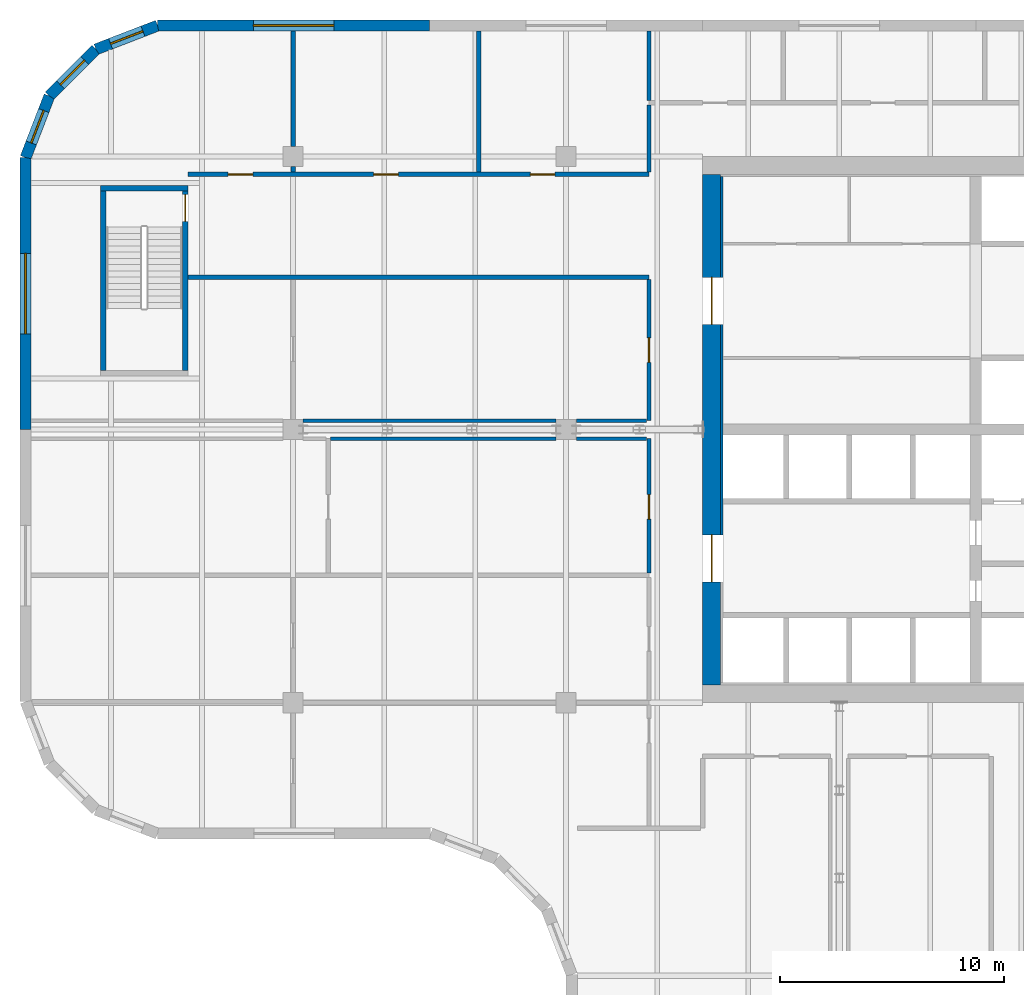
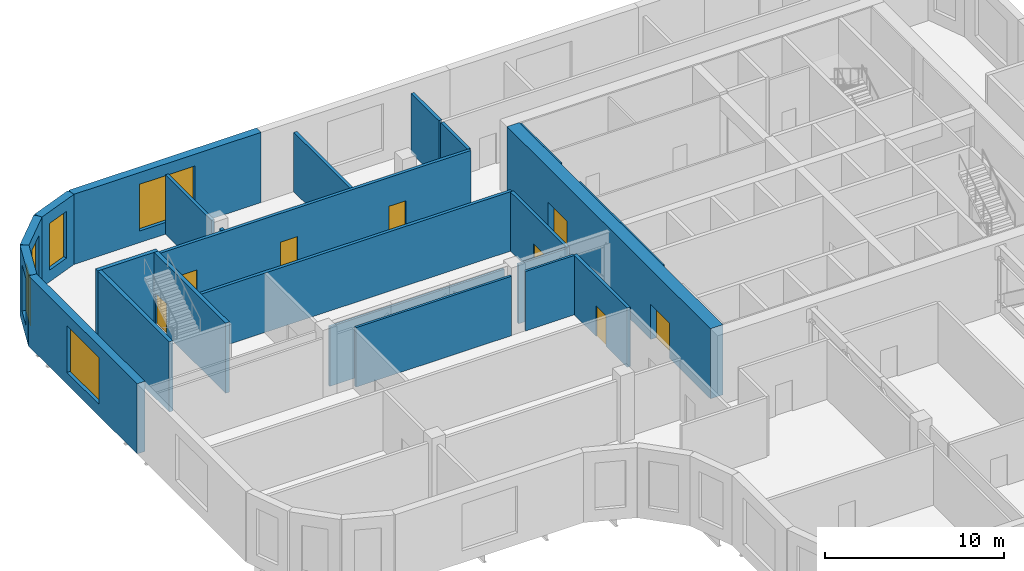
# One storey, part 11 of 21: 24 walls, 8 doors, 5 windows, 13 openings.
"""IFC4 building model written with IfcOpenShell, lengths in metres."""

from ifc_helpers import new_model, si_unit, direction, frame, frame_2d, origin, place, context, subcontext, project, spatial, polyline, rectangle, outline, extrude, faceted_brep, source, transform, mapped, material, layer, layer_set, type_object, element, fill, save


model = new_model("IFC4")

# Units and contexts
model_context = context("Model", 3, precision=1e-05, world=origin(), true_north=direction((0.0, 1.0)))
body_context = subcontext(model_context, "Body", "Model", "MODEL_VIEW")
ifc_project = project(units=[si_unit("LENGTHUNIT", "METRE"), si_unit("AREAUNIT", "SQUARE_METRE"), si_unit("VOLUMEUNIT", "CUBIC_METRE"), si_unit("PLANEANGLEUNIT", "RADIAN"), si_unit("MASSUNIT", "GRAM", prefix="KILO")], contexts=[model_context])

# Site, building, storey
site_placement = place(None, origin())
site = spatial("IfcSite", under=ifc_project, at=site_placement, CompositionType="ELEMENT")
building_placement = place(site_placement, origin())
building = spatial("IfcBuilding", under=site, at=building_placement, Name="Tessera Gate Towers", CompositionType="ELEMENT")
storey_placement = place(building_placement, frame((0.0, 0.0, 63.800048828125)))
storey = spatial("IfcBuildingStorey", under=building, at=storey_placement, Name="L15", CompositionType="ELEMENT", Elevation=63.800048828125)

# Walls
ifc_material_1 = material(Name="Gypsum board on steel studs, mineral wool", Category="steel")
ifc_layer_1 = layer(ifc_material_1, 0.14990234375)
ifc_layer_set_1 = layer_set([ifc_layer_1], Name="CHASE WALL 150")
wall_type_1 = type_object("IfcWallType", Name="CHASE WALL 150", PredefinedType="PARTITIONING", material=ifc_layer_set_1)
wall_1_placement = place(storey_placement, frame((13.8759765625, 36.199951171875, 0.0), z_axis=(0.0, 0.0, 1.0), x_axis=(1.0, 0.0, 0.0)))
element("IfcWall", 1, at=wall_1_placement, inside=storey, type_object=wall_type_1, Name="T1-L15-PW-032", PredefinedType="PARTITIONING", context=body_context, shape_type="SweptSolid", body=[
    extrude(rectangle(XDim=10.072998046875, YDim=0.14990234375, at=frame_2d((5.03662109375, 0.0))), origin(), (0.0, 0.0, 1.0), 4.06689453125),
])
wall_2_placement = place(storey_placement, frame((24.85107421875, 36.199951171875, 0.0), z_axis=(0.0, 0.0, 1.0), x_axis=(1.0, 0.0, 0.0)))
element("IfcWall", 2, at=wall_2_placement, inside=storey, type_object=wall_type_1, Name="T1-L15-PW-033", PredefinedType="PARTITIONING", context=body_context, shape_type="SweptSolid", body=[
    extrude(rectangle(XDim=3.14794921875, YDim=0.14990234375, at=frame_2d((1.573974609375, 0.0))), origin(), (0.0, 0.0, 1.0), 4.06689453125),
])
wall_3_placement = place(storey_placement, frame((12.65087890625, 37.0, 0.0), z_axis=(0.0, 0.0, 1.0), x_axis=(1.0, 0.0, 0.0)))
element("IfcWall", 3, at=wall_3_placement, inside=storey, type_object=wall_type_1, Name="T1-L15-PW-035", PredefinedType="PARTITIONING", context=body_context, shape_type="SweptSolid", body=[
    extrude(rectangle(XDim=11.298095703125, YDim=0.14990234375, at=frame_2d((5.64892578125, 0.0))), origin(), (0.0, 0.0, 1.0), 4.06689453125),
])
wall_4_placement = place(storey_placement, frame((24.85107421875, 37.0, 0.0), z_axis=(0.0, 0.0, 1.0), x_axis=(1.0, 0.0, 0.0)))
element("IfcWall", 4, at=wall_4_placement, inside=storey, type_object=wall_type_1, Name="T1-L15-PW-036", PredefinedType="PARTITIONING", context=body_context, shape_type="SweptSolid", body=[
    extrude(rectangle(XDim=3.14794921875, YDim=0.14990234375, at=frame_2d((1.573974609375, 0.0))), origin(), (0.0, 0.0, 1.0), 4.06689453125),
])
ifc_material_2 = material(Name="Concrete C40/50", Category="concrete")
ifc_layer_2 = layer(ifc_material_2, 0.25)
ifc_layer_set_2 = layer_set([ifc_layer_2], Name="CORE ENCLOSURE WALL 250")
wall_type_2 = type_object("IfcWallType", Name="CORE ENCLOSURE WALL 250", PredefinedType="SOLIDWALL", material=ifc_layer_set_2)
wall_5_placement = place(storey_placement, frame((3.72509765625, 39.25, 0.0), z_axis=(0.0, 0.0, 1.0), x_axis=(0.0, 1.0, 0.0)))
element("IfcWall", 5, at=wall_5_placement, inside=storey, type_object=wall_type_2, Name="L15 ST3 enclosure wall", PredefinedType="SOLIDWALL", context=body_context, shape_type="SweptSolid", body=[
    extrude(rectangle(XDim=8.0, YDim=0.25, at=frame_2d((4.0, 0.0))), origin(), (0.0, 0.0, 1.0), 4.800048828125),
])
wall_6_placement = place(storey_placement, frame((3.60009765625, 47.375, 0.0), z_axis=(0.0, 0.0, 1.0), x_axis=(1.0, 0.0, 0.0)))
element("IfcWall", 6, at=wall_6_placement, inside=storey, type_object=wall_type_2, Name="L15 ST3 enclosure wall", PredefinedType="SOLIDWALL", context=body_context, shape_type="SweptSolid", body=[
    extrude(rectangle(XDim=3.89990234375, YDim=0.25, at=frame_2d((1.949951171875, 0.0))), origin(), (0.0, 0.0, 1.0), 4.800048828125),
])

# Wall, opening, door
wall_7_placement = place(storey_placement, frame((7.375, 47.25, 0.0), z_axis=(0.0, 0.0, 1.0), x_axis=(0.0, -1.0, 0.0)))
wall_7 = element("IfcWall", 7, at=wall_7_placement, inside=storey, type_object=wall_type_2, Name="L15 ST3 enclosure wall", PredefinedType="SOLIDWALL", context=body_context, shape_type="SweptSolid", body=[
    extrude(rectangle(XDim=8.0, YDim=0.25, at=frame_2d((4.0, 0.0))), origin(), (0.0, 0.0, 1.0), 4.800048828125),
])
shared_shape_1 = source(origin(), body_context, "Body", "SweptSolid", [
    extrude(rectangle(XDim=1.199951171875, YDim=2.10009765625, at=frame_2d((0.60009765625, 1.050048828125))), frame((0.0, 0.135009765625, 0.0), z_axis=(0.0, -1.0, 0.0), x_axis=(1.0, 0.0, 0.0)), (0.0, 0.0, 1.0), 0.27001953125),
])
opening_1_placement = place(wall_7_placement, frame((0.14990234375, 0.0, 0.0)))
opening_1 = element("IfcOpeningElement", 8, at=opening_1_placement, cuts=wall_7, Name="Opening SD-ST3-1", PredefinedType="OPENING", context=body_context, shape_type="MappedRepresentation", body=[
    mapped(shared_shape_1, transform((0.0, 0.0, 0.0), scale=1.0)),
])
ifc_material_3 = material(Name="Hollow steel fire door", Category="steel")
door_type_1 = type_object("IfcDoorType", Name="CORE DOOR SD 1200x2100", OperationType="NOTDEFINED", PredefinedType="DOOR", material=ifc_material_3)
shared_shape_2 = source(origin(), body_context, "Body", "SweptSolid", [
    extrude(rectangle(XDim=1.199951171875, YDim=2.10009765625, at=frame_2d((0.60009765625, 1.050048828125))), frame((0.0, 0.02490234375, 0.0), z_axis=(0.0, -1.0, 0.0), x_axis=(1.0, 0.0, 0.0)), (0.0, 0.0, 1.0), 0.050048828125),
])
door_1_placement = place(opening_1_placement, origin())
door_1 = element("IfcDoor", 9, at=door_1_placement, inside=storey, type_object=door_type_1, Name="Stair door", OperationType="SINGLE_SWING_LEFT", OverallHeight=2.10009765625, OverallWidth=1.199951171875, PredefinedType="DOOR", context=body_context, shape_type="MappedRepresentation", body=[
    mapped(shared_shape_2, transform((0.0, 0.0, 0.0), scale=1.0)),
])
fill(opening_1, door_1)

# Wall, openings, doors
ifc_material_4 = material(Name="Concrete C60/75", Category="concrete")
ifc_layer_3 = layer(ifc_material_4, 0.800048828125)
ifc_layer_set_3 = layer_set([ifc_layer_3], Name="CORE SHEAR WALL 800 C60/75")
wall_type_3 = type_object("IfcWallType", Name="CORE SHEAR WALL 800 C60/75", PredefinedType="SHEAR", material=ifc_layer_set_3)
wall_8_placement = place(storey_placement, frame((30.89990234375, 25.199951171875, 0.0), z_axis=(0.0, 0.0, 1.0), x_axis=(0.0, 1.0, 0.0)))
wall_8 = element("IfcWall", 10, at=wall_8_placement, inside=storey, type_object=wall_type_3, Name="Core wall W L15", PredefinedType="SHEAR", context=body_context, shape_type="SweptSolid", body=[
    extrude(rectangle(XDim=22.800048828125, YDim=0.800048828125, at=frame_2d((11.39990234375, 0.0))), origin(), (0.0, 0.0, 1.0), 4.800048828125),
])
shared_shape_3 = source(origin(), body_context, "Body", "SweptSolid", [
    extrude(rectangle(XDim=2.10009765625, YDim=2.39990234375, at=frame_2d((1.050048828125, 1.199951171875))), frame((0.0, 0.409912109375, 0.0), z_axis=(0.0, -1.0, 0.0), x_axis=(1.0, 0.0, 0.0)), (0.0, 0.0, 1.0), 0.820068359375),
])
opening_2_placement = place(wall_8_placement, frame((4.60009765625, 0.0, 0.0)))
opening_2 = element("IfcOpeningElement", 11, at=opening_2_placement, cuts=wall_8, Name="Opening DD-T1-11-02", PredefinedType="OPENING", context=body_context, shape_type="MappedRepresentation", body=[
    mapped(shared_shape_3, transform((0.0, 0.0, 0.0), scale=1.0)),
])
opening_3_placement = place(wall_8_placement, frame((16.10009765625, 0.0, 0.0)))
opening_3 = element("IfcOpeningElement", 12, at=opening_3_placement, cuts=wall_8, Name="Opening DD-T1-11-03", PredefinedType="OPENING", context=body_context, shape_type="MappedRepresentation", body=[
    mapped(shared_shape_3, transform((0.0, 0.0, 0.0), scale=1.0)),
])
ifc_material_5 = material(Name="Hollow steel fire door", Category="steel")
door_type_2 = type_object("IfcDoorType", Name="CORE DOOR DD 2100x2400", OperationType="NOTDEFINED", PredefinedType="DOOR", material=ifc_material_5)
shared_shape_4 = source(origin(), body_context, "Body", "SweptSolid", [
    extrude(rectangle(XDim=2.10009765625, YDim=2.39990234375, at=frame_2d((1.050048828125, 1.199951171875))), frame((0.0, 0.02490234375, 0.0), z_axis=(0.0, -1.0, 0.0), x_axis=(1.0, 0.0, 0.0)), (0.0, 0.0, 1.0), 0.050048828125),
])
door_2_placement = place(opening_2_placement, origin())
door_2 = element("IfcDoor", 13, at=door_2_placement, inside=storey, type_object=door_type_2, Name="Core entrance door", OperationType="DOUBLE_DOOR_SINGLE_SWING", OverallHeight=2.39990234375, OverallWidth=2.10009765625, PredefinedType="DOOR", context=body_context, shape_type="MappedRepresentation", body=[
    mapped(shared_shape_4, transform((0.0, 0.0, 0.0), scale=1.0)),
])
fill(opening_2, door_2)
door_3_placement = place(opening_3_placement, origin())
door_3 = element("IfcDoor", 14, at=door_3_placement, inside=storey, type_object=door_type_2, Name="Core entrance door", OperationType="DOUBLE_DOOR_SINGLE_SWING", OverallHeight=2.39990234375, OverallWidth=2.10009765625, PredefinedType="DOOR", context=body_context, shape_type="MappedRepresentation", body=[
    mapped(shared_shape_4, transform((0.0, 0.0, 0.0), scale=1.0)),
])
fill(opening_3, door_3)

# Walls
ifc_material_6 = material(Name="Concrete C60/75", Category="concrete")
ifc_layer_4 = layer(ifc_material_6, 0.10009765625)
ifc_layer_set_4 = layer_set([ifc_layer_4], Name="CORE WALL THICKENING 100")
wall_type_4 = type_object("IfcWallType", Name="CORE WALL THICKENING 100", PredefinedType="SOLIDWALL", material=ifc_layer_set_4)
wall_9_placement = place(storey_placement, frame((31.35009765625, 31.89990234375, 0.0), z_axis=(0.0, 0.0, 1.0), x_axis=(0.0, 1.0, 0.0)))
element("IfcWall", 15, at=wall_9_placement, inside=storey, type_object=wall_type_4, Name="Core wall thickening W L15", PredefinedType="SOLIDWALL", context=body_context, shape_type="SweptSolid", body=[
    extrude(rectangle(XDim=9.400146484375, YDim=0.10009765625, at=frame_2d((4.7001953125, 0.0))), origin(), (0.0, 0.0, 1.0), 4.800048828125),
])
wall_10_placement = place(storey_placement, frame((31.35009765625, 43.39990234375, 0.0), z_axis=(0.0, 0.0, 1.0), x_axis=(0.0, 1.0, 0.0)))
element("IfcWall", 16, at=wall_10_placement, inside=storey, type_object=wall_type_4, Name="Core wall thickening W L15", PredefinedType="SOLIDWALL", context=body_context, shape_type="SweptSolid", body=[
    extrude(rectangle(XDim=4.5, YDim=0.10009765625, at=frame_2d((2.25, 0.0))), origin(), (0.0, 0.0, 1.0), 4.800048828125),
])

# Wall, opening, door
ifc_material_7 = material(Name="Concrete masonry unit", Category="masonry")
ifc_layer_5 = layer(ifc_material_7, 0.199951171875)
ifc_layer_set_5 = layer_set([ifc_layer_5], Name="PLANT WALL 200")
wall_type_5 = type_object("IfcWallType", Name="PLANT WALL 200", PredefinedType="PARTITIONING", material=ifc_layer_set_5)
wall_11_placement = place(storey_placement, frame((28.10009765625, 30.200927734375, 0.0), z_axis=(0.0, 0.0, 1.0), x_axis=(0.0, 1.0, 0.0)))
wall_11 = element("IfcWall", 17, at=wall_11_placement, inside=storey, type_object=wall_type_5, Name="T1-L15-PW-029", PredefinedType="PARTITIONING", context=body_context, shape_type="SweptSolid", body=[
    extrude(rectangle(XDim=5.9990234375, YDim=0.199951171875, at=frame_2d((2.99951171875, 0.0))), origin(), (0.0, 0.0, 1.0), 4.06689453125),
])
shared_shape_5 = source(origin(), body_context, "Body", "SweptSolid", [
    extrude(rectangle(XDim=1.10009765625, YDim=2.10009765625, at=frame_2d((0.550048828125, 1.050048828125))), frame((0.0, 0.10986328125, 0.0), z_axis=(0.0, -1.0, 0.0), x_axis=(1.0, 0.0, 0.0)), (0.0, 0.0, 1.0), 0.219970703125),
])
opening_4_placement = place(wall_11_placement, frame((2.39990234375, 0.0, 0.0)))
opening_4 = element("IfcOpeningElement", 18, at=opening_4_placement, cuts=wall_11, Name="Opening D5110FD90-A30-07", PredefinedType="OPENING", context=body_context, shape_type="MappedRepresentation", body=[
    mapped(shared_shape_5, transform((0.0, 0.0, 0.0), scale=1.0)),
])
ifc_material_8 = material(Name="Timber door leaf in steel frame", Category="steel")
door_type_3 = type_object("IfcDoorType", Name="PLANT DOOR 1100 FD90", OperationType="NOTDEFINED", PredefinedType="DOOR", material=ifc_material_8)
shared_shape_6 = source(origin(), body_context, "Body", "SweptSolid", [
    extrude(rectangle(XDim=1.10009765625, YDim=2.10009765625, at=frame_2d((0.550048828125, 1.050048828125))), frame((0.0, 0.02490234375, 0.0), z_axis=(0.0, -1.0, 0.0), x_axis=(1.0, 0.0, 0.0)), (0.0, 0.0, 1.0), 0.050048828125),
])
door_4_placement = place(opening_4_placement, origin())
door_4 = element("IfcDoor", 19, at=door_4_placement, inside=storey, type_object=door_type_3, Name="T1-L15-PD-007", OperationType="SINGLE_SWING_LEFT", OverallHeight=2.10009765625, OverallWidth=1.10009765625, PredefinedType="DOOR", context=body_context, shape_type="MappedRepresentation", body=[
    mapped(shared_shape_6, transform((0.0, 0.0, 0.0), scale=1.0)),
])
fill(opening_4, door_4)

wall_12_placement = place(storey_placement, frame((28.10009765625, 37.0, 0.0), z_axis=(0.0, 0.0, 1.0), x_axis=(0.0, 1.0, 0.0)))
wall_12 = element("IfcWall", 20, at=wall_12_placement, inside=storey, type_object=wall_type_5, Name="T1-L15-PW-037", PredefinedType="PARTITIONING", context=body_context, shape_type="SweptSolid", body=[
    extrude(rectangle(XDim=6.299072265625, YDim=0.199951171875, at=frame_2d((3.1494140625, 0.0))), origin(), (0.0, 0.0, 1.0), 4.06689453125),
])
opening_5_placement = place(wall_12_placement, frame((2.60009765625, 0.0, 0.0)))
opening_5 = element("IfcOpeningElement", 21, at=opening_5_placement, cuts=wall_12, Name="Opening D5110FD90-A30-11", PredefinedType="OPENING", context=body_context, shape_type="MappedRepresentation", body=[
    mapped(shared_shape_5, transform((0.0, 0.0, 0.0), scale=1.0)),
])
door_5_placement = place(opening_5_placement, origin())
door_5 = element("IfcDoor", 22, at=door_5_placement, inside=storey, type_object=door_type_3, Name="T1-L15-PD-011", OperationType="SINGLE_SWING_LEFT", OverallHeight=2.10009765625, OverallWidth=1.10009765625, PredefinedType="DOOR", context=body_context, shape_type="MappedRepresentation", body=[
    mapped(shared_shape_6, transform((0.0, 0.0, 0.0), scale=1.0)),
])
fill(opening_5, door_5)

# Wall
wall_13_placement = place(storey_placement, frame((7.5, 43.39990234375, 0.0), z_axis=(0.0, 0.0, 1.0), x_axis=(1.0, 0.0, 0.0)))
element("IfcWall", 23, at=wall_13_placement, inside=storey, type_object=wall_type_5, Name="T1-L15-PW-039", PredefinedType="PARTITIONING", context=body_context, shape_type="SweptSolid", body=[
    extrude(rectangle(XDim=20.60009765625, YDim=0.199951171875, at=frame_2d((10.300048828125, 0.0))), origin(), (0.0, 0.0, 1.0), 4.06689453125),
])

# Wall, openings, doors
wall_14_placement = place(storey_placement, frame((7.5, 48.0, 0.0), z_axis=(0.0, 0.0, 1.0), x_axis=(1.0, 0.0, 0.0)))
wall_14 = element("IfcWall", 24, at=wall_14_placement, inside=storey, type_object=wall_type_5, Name="T1-L15-PW-040", PredefinedType="PARTITIONING", context=body_context, shape_type="SweptSolid", body=[
    extrude(rectangle(XDim=20.60009765625, YDim=0.199951171875, at=frame_2d((10.300048828125, 0.0))), origin(), (0.0, 0.0, 1.0), 4.06689453125),
])
opening_6_placement = place(wall_14_placement, frame((1.800048828125, 0.0, 0.0)))
opening_6 = element("IfcOpeningElement", 25, at=opening_6_placement, cuts=wall_14, Name="Opening D5110FD90-A30-02", PredefinedType="OPENING", context=body_context, shape_type="MappedRepresentation", body=[
    mapped(shared_shape_5, transform((0.0, 0.0, 0.0), scale=1.0)),
])
opening_7_placement = place(wall_14_placement, frame((15.301025390625, 0.0, 0.0)))
opening_7 = element("IfcOpeningElement", 26, at=opening_7_placement, cuts=wall_14, Name="Opening D5110FD90-A30-15", PredefinedType="OPENING", context=body_context, shape_type="MappedRepresentation", body=[
    mapped(shared_shape_5, transform((0.0, 0.0, 0.0), scale=1.0)),
])
opening_8_placement = place(wall_14_placement, frame((8.300048828125, 0.0, 0.0)))
opening_8 = element("IfcOpeningElement", 27, at=opening_8_placement, cuts=wall_14, Name="Opening D5110FD90-A30-17", PredefinedType="OPENING", context=body_context, shape_type="MappedRepresentation", body=[
    mapped(shared_shape_5, transform((0.0, 0.0, 0.0), scale=1.0)),
])
door_6_placement = place(opening_6_placement, origin())
door_6 = element("IfcDoor", 28, at=door_6_placement, inside=storey, type_object=door_type_3, Name="T1-L15-PD-002", OperationType="SINGLE_SWING_LEFT", OverallHeight=2.10009765625, OverallWidth=1.10009765625, PredefinedType="DOOR", context=body_context, shape_type="MappedRepresentation", body=[
    mapped(shared_shape_6, transform((0.0, 0.0, 0.0), scale=1.0)),
])
fill(opening_6, door_6)
door_7_placement = place(opening_7_placement, origin())
door_7 = element("IfcDoor", 29, at=door_7_placement, inside=storey, type_object=door_type_3, Name="T1-L15-PD-015", OperationType="SINGLE_SWING_LEFT", OverallHeight=2.10009765625, OverallWidth=1.10009765625, PredefinedType="DOOR", context=body_context, shape_type="MappedRepresentation", body=[
    mapped(shared_shape_6, transform((0.0, 0.0, 0.0), scale=1.0)),
])
fill(opening_7, door_7)
door_8_placement = place(opening_8_placement, origin())
door_8 = element("IfcDoor", 30, at=door_8_placement, inside=storey, type_object=door_type_3, Name="T1-L15-PD-017", OperationType="SINGLE_SWING_LEFT", OverallHeight=2.10009765625, OverallWidth=1.10009765625, PredefinedType="DOOR", context=body_context, shape_type="MappedRepresentation", body=[
    mapped(shared_shape_6, transform((0.0, 0.0, 0.0), scale=1.0)),
])
fill(opening_8, door_8)

# Walls
wall_15_placement = place(storey_placement, frame((12.199951171875, 48.10107421875, 0.0), z_axis=(0.0, 0.0, 1.0), x_axis=(0.0, 1.0, 0.0)))
element("IfcWall", 31, at=wall_15_placement, inside=storey, type_object=wall_type_5, Name="T1-L15-PW-041", PredefinedType="PARTITIONING", context=body_context, shape_type="SweptSolid", body=[
    extrude(rectangle(XDim=0.248046875, YDim=0.199951171875, at=frame_2d((0.1240234375, 0.0))), origin(), (0.0, 0.0, 1.0), 4.06689453125),
])
wall_16_placement = place(storey_placement, frame((20.5, 48.10107421875, 0.0), z_axis=(0.0, 0.0, 1.0), x_axis=(0.0, 1.0, 0.0)))
element("IfcWall", 32, at=wall_16_placement, inside=storey, type_object=wall_type_5, Name="T1-L15-PW-042", PredefinedType="PARTITIONING", context=body_context, shape_type="SweptSolid", body=[
    extrude(rectangle(XDim=6.298828125, YDim=0.199951171875, at=frame_2d((3.1494140625, 0.0))), origin(), (0.0, 0.0, 1.0), 4.06689453125),
])
wall_17_placement = place(storey_placement, frame((28.10009765625, 48.10107421875, 0.0), z_axis=(0.0, 0.0, 1.0), x_axis=(0.0, 1.0, 0.0)))
element("IfcWall", 33, at=wall_17_placement, inside=storey, type_object=wall_type_5, Name="T1-L15-PW-043", PredefinedType="PARTITIONING", context=body_context, shape_type="SweptSolid", body=[
    extrude(rectangle(XDim=2.998046875, YDim=0.199951171875, at=frame_2d((1.4990234375, 0.0))), origin(), (0.0, 0.0, 1.0), 4.06689453125),
])
wall_18_placement = place(storey_placement, frame((12.199951171875, 49.2509765625, 0.0), z_axis=(0.0, 0.0, 1.0), x_axis=(0.0, 1.0, 0.0)))
element("IfcWall", 34, at=wall_18_placement, inside=storey, type_object=wall_type_5, Name="T1-L15-PW-044", PredefinedType="PARTITIONING", context=body_context, shape_type="SweptSolid", body=[
    extrude(rectangle(XDim=5.14892578125, YDim=0.199951171875, at=frame_2d((2.574462890625, 0.0))), origin(), (0.0, 0.0, 1.0), 4.06689453125),
])
wall_19_placement = place(storey_placement, frame((28.10009765625, 51.301025390625, 0.0), z_axis=(0.0, 0.0, 1.0), x_axis=(0.0, 1.0, 0.0)))
element("IfcWall", 35, at=wall_19_placement, inside=storey, type_object=wall_type_5, Name="T1-L15-PW-046", PredefinedType="PARTITIONING", context=body_context, shape_type="SweptSolid", body=[
    extrude(rectangle(XDim=3.098876953125, YDim=0.199951171875, at=frame_2d((1.54931640625, 0.0))), origin(), (0.0, 0.0, 1.0), 4.06689453125),
])

# Wall, opening, window
ifc_material_9 = material(Name="Precast concrete C60/75 white", Category="concrete")
ifc_layer_6 = layer(ifc_material_9, 0.5)
ifc_layer_set_6 = layer_set([ifc_layer_6], Name="RB1 ring band panel")
wall_type_6 = type_object("IfcWallType", Name="RB1 ring band panel", PredefinedType="SOLIDWALL", material=ifc_layer_set_6)
shared_shape_7 = source(origin(), body_context, "Body", "Brep", [
    faceted_brep([(0.0, -0.25, 0.0), (12.153564453125, -0.25, 0.0), (12.153564453125, -0.25, 4.800048828125), (0.0, -0.25, 4.800048828125), (0.046630859375, 0.25, 4.800048828125), (12.153564453125, 0.25, 4.800048828125), (12.153564453125, 0.25, 0.0), (0.046630859375, 0.25, 0.0), (0.0, 0.0, 0.0), (0.0, 0.0, 4.800048828125)], [[[0, 1, 2, 3]], [[4, 5, 6, 7]], [[7, 6, 1, 0, 8]], [[5, 4, 9, 3, 2]], [[8, 0, 3, 9]], [[7, 8, 9, 4]], [[1, 6, 5, 2]]]),
])
wall_20_placement = place(storey_placement, frame((0.25, 48.75341796875, 0.0), z_axis=(0.0, 0.0, 1.0), x_axis=(0.0, -1.0, 0.0)))
wall_20 = element("IfcWall", 36, at=wall_20_placement, inside=storey, type_object=wall_type_6, Name="Ring band panel T1 RB1-0020", PredefinedType="SOLIDWALL", context=body_context, shape_type="MappedRepresentation", body=[
    mapped(shared_shape_7, transform((0.0, 0.0, 0.0), scale=1.0)),
])
shared_shape_8 = source(origin(), body_context, "Body", "SweptSolid", [
    extrude(outline(polyline([(4.276611328125, 0.800048828125), (7.876708984375, 0.800048828125), (7.876708984375, 4.0), (4.276611328125, 4.0), (4.276611328125, 0.800048828125)])), frame((0.0, 0.260009765625, 0.0), z_axis=(0.0, -1.0, 0.0), x_axis=(1.0, 0.0, 0.0)), (0.0, 0.0, 1.0), 0.52001953125),
])
opening_9_placement = place(wall_20_placement, origin())
opening_9 = element("IfcOpeningElement", 37, at=opening_9_placement, cuts=wall_20, Name="Opening T1-WN-LV1-0020", PredefinedType="OPENING", context=body_context, shape_type="MappedRepresentation", body=[
    mapped(shared_shape_8, transform((0.0, 0.0, 0.0), scale=1.0)),
])
ifc_material_10 = material(Name="Aluminium louvre", Category="aluminium")
ifc_layer_7 = layer(ifc_material_10, 0.06005859375)
ifc_layer_set_7 = layer_set([ifc_layer_7], Name="LV1 louvre")
window_type = type_object("IfcWindowType", Name="LV1 louvre", PartitioningType="USERDEFINED", PredefinedType="WINDOW", material=ifc_layer_set_7)
shared_shape_9 = source(origin(), body_context, "Body", "SweptSolid", [
    extrude(outline(polyline([(4.276611328125, 0.800048828125), (7.876708984375, 0.800048828125), (7.876708984375, 4.0), (4.276611328125, 4.0), (4.276611328125, 0.800048828125)])), frame((0.0, 0.030029296875, 0.0), z_axis=(0.0, -1.0, 0.0), x_axis=(1.0, 0.0, 0.0)), (0.0, 0.0, 1.0), 0.06005859375),
])
window_1_placement = place(opening_9_placement, origin())
window_1 = element("IfcWindow", 38, at=window_1_placement, inside=storey, type_object=window_type, Name="Louvre T1 WN-LV1-0020", OverallHeight=3.199951171875, OverallWidth=3.60009765625, PartitioningType="USERDEFINED", PredefinedType="WINDOW", context=body_context, shape_type="MappedRepresentation", body=[
    mapped(shared_shape_9, transform((0.0, 0.0, 0.0), scale=1.0)),
])
fill(opening_9, window_1)

shared_shape_10 = source(origin(), body_context, "Body", "Brep", [
    faceted_brep([(0.0, -0.25, 0.0), (12.153564453125, -0.25, 0.0), (12.153564453125, -0.25, 4.800048828125), (0.0, -0.25, 4.800048828125), (0.0, 0.25, 4.800048828125), (12.10693359375, 0.25, 4.800048828125), (12.10693359375, 0.25, 0.0), (0.0, 0.25, 0.0), (12.153564453125, -0.00048828125, 0.0), (12.153564453125, -0.00048828125, 4.800048828125)], [[[0, 1, 2, 3]], [[4, 5, 6, 7]], [[7, 6, 8, 1, 0]], [[9, 2, 1, 8]], [[5, 4, 3, 2, 9]], [[4, 7, 0, 3]], [[8, 6, 5, 9]]]),
])
wall_21_placement = place(storey_placement, frame((18.300048828125, 54.64990234375, 0.0), z_axis=(0.0, 0.0, 1.0), x_axis=(-1.0, 0.0, 0.0)))
wall_21 = element("IfcWall", 39, at=wall_21_placement, inside=storey, type_object=wall_type_6, Name="Ring band panel T1 RB1-0016", PredefinedType="SOLIDWALL", context=body_context, shape_type="MappedRepresentation", body=[
    mapped(shared_shape_10, transform((0.0, 0.0, 0.0), scale=1.0)),
])
opening_10_placement = place(wall_21_placement, origin())
opening_10 = element("IfcOpeningElement", 40, at=opening_10_placement, cuts=wall_21, Name="Opening T1-WN-LV1-0016", PredefinedType="OPENING", context=body_context, shape_type="MappedRepresentation", body=[
    mapped(shared_shape_8, transform((0.0, 0.0, 0.0), scale=1.0)),
])
window_2_placement = place(opening_10_placement, origin())
window_2 = element("IfcWindow", 41, at=window_2_placement, inside=storey, type_object=window_type, Name="Louvre T1 WN-LV1-0016", OverallHeight=3.199951171875, OverallWidth=3.60009765625, PartitioningType="USERDEFINED", PredefinedType="WINDOW", context=body_context, shape_type="MappedRepresentation", body=[
    mapped(shared_shape_9, transform((0.0, 0.0, 0.0), scale=1.0)),
])
fill(opening_10, window_2)

shared_shape_11 = source(origin(), body_context, "Body", "Brep", [
    faceted_brep([(0.0, -0.25, 0.0), (2.950439453125, -0.25, 0.0), (2.950439453125, -0.25, 4.800048828125), (0.0, -0.25, 4.800048828125), (0.046630859375, 0.25, 4.800048828125), (2.897705078125, 0.25, 4.800048828125), (2.897705078125, 0.25, 0.0), (0.046630859375, 0.25, 0.0), (2.950439453125, 0.00048828125, 0.0), (0.0, 0.0, 0.0), (2.950439453125, 0.00048828125, 4.800048828125), (0.0, 0.0, 4.800048828125)], [[[0, 1, 2, 3]], [[4, 5, 6, 7]], [[7, 6, 8, 1, 0, 9]], [[10, 2, 1, 8]], [[5, 4, 11, 3, 2, 10]], [[9, 0, 3, 11]], [[7, 9, 11, 4]], [[8, 6, 5, 10]]]),
])
wall_22_placement = place(storey_placement, frame((6.146484375, 54.64990234375, 0.0), z_axis=(0.0, 0.0, 1.0), x_axis=(-0.932999673775, -0.359877213415, 0.0)))
wall_22 = element("IfcWall", 42, at=wall_22_placement, inside=storey, type_object=wall_type_6, Name="Ring band panel T1 RB1-0017", PredefinedType="SOLIDWALL", context=body_context, shape_type="MappedRepresentation", body=[
    mapped(shared_shape_11, transform((0.0, 0.0, 0.0), scale=1.0)),
])
shared_shape_12 = source(origin(), body_context, "Body", "SweptSolid", [
    extrude(outline(polyline([(0.699951171875, 0.800048828125), (2.25048828125, 0.800048828125), (2.25048828125, 4.0), (0.699951171875, 4.0), (0.699951171875, 0.800048828125)])), frame((0.0, 0.260009765625, 0.0), z_axis=(0.0, -1.0, 0.0), x_axis=(1.0, 0.0, 0.0)), (0.0, 0.0, 1.0), 0.52001953125),
])
opening_11_placement = place(wall_22_placement, origin())
opening_11 = element("IfcOpeningElement", 43, at=opening_11_placement, cuts=wall_22, Name="Opening T1-WN-LV1-0017", PredefinedType="OPENING", context=body_context, shape_type="MappedRepresentation", body=[
    mapped(shared_shape_12, transform((0.0, 0.0, 0.0), scale=1.0)),
])
shared_shape_13 = source(origin(), body_context, "Body", "SweptSolid", [
    extrude(outline(polyline([(0.699951171875, 0.800048828125), (2.25048828125, 0.800048828125), (2.25048828125, 4.0), (0.699951171875, 4.0), (0.699951171875, 0.800048828125)])), frame((0.0, 0.030029296875, 0.0), z_axis=(0.0, -1.0, 0.0), x_axis=(1.0, 0.0, 0.0)), (0.0, 0.0, 1.0), 0.06005859375),
])
window_3_placement = place(opening_11_placement, origin())
window_3 = element("IfcWindow", 44, at=window_3_placement, inside=storey, type_object=window_type, Name="Louvre T1 WN-LV1-0017", OverallHeight=3.199951171875, OverallWidth=1.550537109375, PartitioningType="USERDEFINED", PredefinedType="WINDOW", context=body_context, shape_type="MappedRepresentation", body=[
    mapped(shared_shape_13, transform((0.0, 0.0, 0.0), scale=1.0)),
])
fill(opening_11, window_3)

shared_shape_14 = source(origin(), body_context, "Body", "Brep", [
    faceted_brep([(0.0, -0.25, 0.0), (2.944091796875, -0.25, 0.0), (2.944091796875, -0.25, 4.800048828125), (0.0, -0.25, 4.800048828125), (0.052978515625, 0.25, 4.800048828125), (2.89111328125, 0.25, 4.800048828125), (2.89111328125, 0.25, 0.0), (0.052978515625, 0.25, 0.0), (2.944091796875, 0.000244140625, 0.0), (0.0, 0.0, 0.0), (2.944091796875, 0.000244140625, 4.800048828125), (0.0, 0.0, 4.800048828125)], [[[0, 1, 2, 3]], [[4, 5, 6, 7]], [[7, 6, 8, 1, 0, 9]], [[10, 2, 1, 8]], [[5, 4, 11, 3, 2, 10]], [[9, 0, 3, 11]], [[7, 9, 11, 4]], [[8, 6, 5, 10]]]),
])
wall_23_placement = place(storey_placement, frame((3.393798828125, 53.588134765625, 0.0), z_axis=(0.0, 0.0, 1.0), x_axis=(-0.707106781187, -0.707106781187, 0.0)))
wall_23 = element("IfcWall", 45, at=wall_23_placement, inside=storey, type_object=wall_type_6, Name="Ring band panel T1 RB1-0018", PredefinedType="SOLIDWALL", context=body_context, shape_type="MappedRepresentation", body=[
    mapped(shared_shape_14, transform((0.0, 0.0, 0.0), scale=1.0)),
])
shared_shape_15 = source(origin(), body_context, "Body", "SweptSolid", [
    extrude(outline(polyline([(0.699951171875, 0.800048828125), (2.244140625, 0.800048828125), (2.244140625, 4.0), (0.699951171875, 4.0), (0.699951171875, 0.800048828125)])), frame((0.0, 0.260009765625, 0.0), z_axis=(0.0, -1.0, 0.0), x_axis=(1.0, 0.0, 0.0)), (0.0, 0.0, 1.0), 0.52001953125),
])
opening_12_placement = place(wall_23_placement, origin())
opening_12 = element("IfcOpeningElement", 46, at=opening_12_placement, cuts=wall_23, Name="Opening T1-WN-LV1-0018", PredefinedType="OPENING", context=body_context, shape_type="MappedRepresentation", body=[
    mapped(shared_shape_15, transform((0.0, 0.0, 0.0), scale=1.0)),
])
shared_shape_16 = source(origin(), body_context, "Body", "SweptSolid", [
    extrude(outline(polyline([(0.699951171875, 0.800048828125), (2.244140625, 0.800048828125), (2.244140625, 4.0), (0.699951171875, 4.0), (0.699951171875, 0.800048828125)])), frame((0.0, 0.030029296875, 0.0), z_axis=(0.0, -1.0, 0.0), x_axis=(1.0, 0.0, 0.0)), (0.0, 0.0, 1.0), 0.06005859375),
])
window_4_placement = place(opening_12_placement, origin())
window_4 = element("IfcWindow", 47, at=window_4_placement, inside=storey, type_object=window_type, Name="Louvre T1 WN-LV1-0018", OverallHeight=3.199951171875, OverallWidth=1.544189453125, PartitioningType="USERDEFINED", PredefinedType="WINDOW", context=body_context, shape_type="MappedRepresentation", body=[
    mapped(shared_shape_16, transform((0.0, 0.0, 0.0), scale=1.0)),
])
fill(opening_12, window_4)

shared_shape_17 = source(origin(), body_context, "Body", "Brep", [
    faceted_brep([(0.0, -0.25, 0.0), (2.950439453125, -0.25, 0.0), (2.950439453125, -0.25, 4.800048828125), (0.0, -0.25, 4.800048828125), (0.052978515625, 0.25, 4.800048828125), (2.904052734375, 0.25, 4.800048828125), (2.904052734375, 0.25, 0.0), (0.052978515625, 0.25, 0.0), (2.950439453125, 0.00048828125, 0.0), (0.0, 0.0, 0.0), (2.950439453125, 0.00048828125, 4.800048828125), (0.0, 0.0, 4.800048828125)], [[[0, 1, 2, 3]], [[4, 5, 6, 7]], [[7, 6, 8, 1, 0, 9]], [[10, 2, 1, 8]], [[5, 4, 11, 3, 2, 10]], [[9, 0, 3, 11]], [[7, 9, 11, 4]], [[8, 6, 5, 10]]]),
])
wall_24_placement = place(storey_placement, frame((1.31201171875, 51.50634765625, 0.0), z_axis=(0.0, 0.0, 1.0), x_axis=(-0.359921456299, -0.932982607178, 0.0)))
wall_24 = element("IfcWall", 48, at=wall_24_placement, inside=storey, type_object=wall_type_6, Name="Ring band panel T1 RB1-0019", PredefinedType="SOLIDWALL", context=body_context, shape_type="MappedRepresentation", body=[
    mapped(shared_shape_17, transform((0.0, 0.0, 0.0), scale=1.0)),
])
opening_13_placement = place(wall_24_placement, origin())
opening_13 = element("IfcOpeningElement", 49, at=opening_13_placement, cuts=wall_24, Name="Opening T1-WN-LV1-0019", PredefinedType="OPENING", context=body_context, shape_type="MappedRepresentation", body=[
    mapped(shared_shape_12, transform((0.0, 0.0, 0.0), scale=1.0)),
])
window_5_placement = place(opening_13_placement, origin())
window_5 = element("IfcWindow", 50, at=window_5_placement, inside=storey, type_object=window_type, Name="Louvre T1 WN-LV1-0019", OverallHeight=3.199951171875, OverallWidth=1.550537109375, PartitioningType="USERDEFINED", PredefinedType="WINDOW", context=body_context, shape_type="MappedRepresentation", body=[
    mapped(shared_shape_13, transform((0.0, 0.0, 0.0), scale=1.0)),
])
fill(opening_13, window_5)

save(model, "model.ifc")
